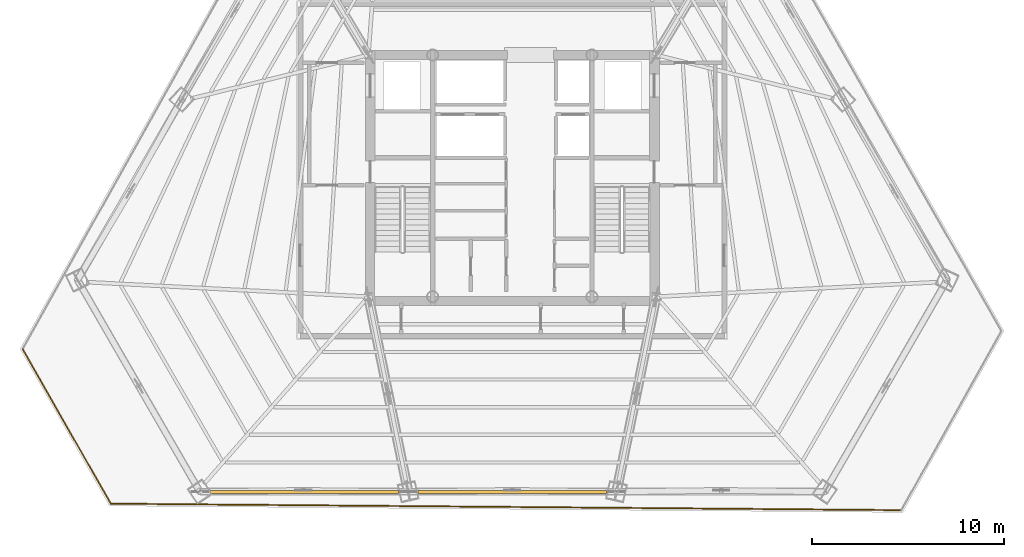
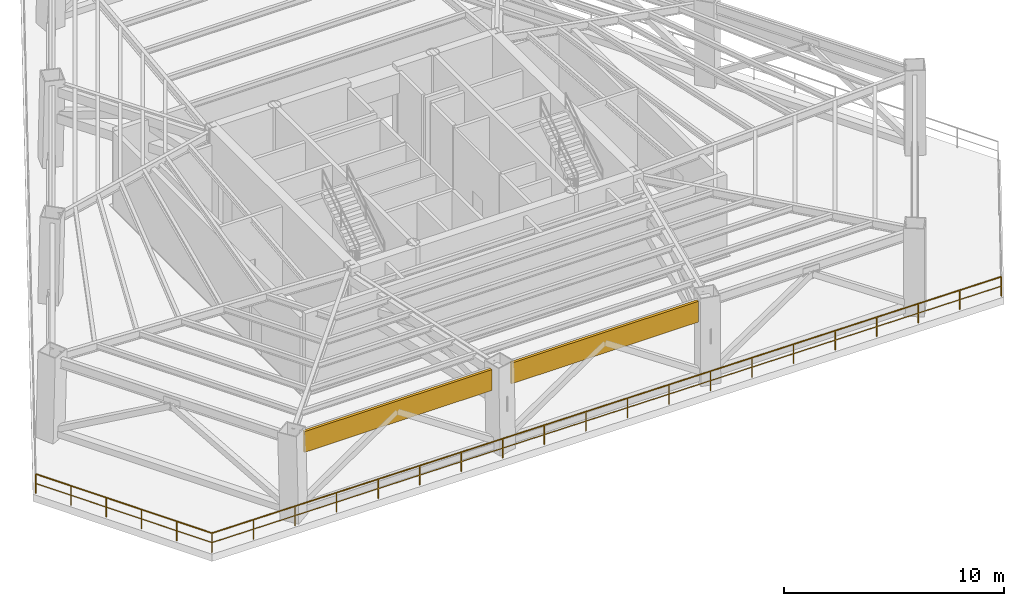
# One storey, part 8 of 12: 2 railings, 2 shading devices.
"""IFC4 building model written with IfcOpenShell, lengths in metres."""

from ifc_helpers import new_model, si_unit, direction, frame, origin, origin_2d, place, context, subcontext, project, spatial, rectangle, extrude, source, transform, mapped, material, layer, layer_set, type_object, type_shapes, element, save


model = new_model("IFC4")

# Units and contexts
model_context = context("Model", 3, precision=1e-05, world=origin(), true_north=direction((0.0, 1.0)))
body_context = subcontext(model_context, "Body", "Model", "MODEL_VIEW")
ifc_project = project(units=[si_unit("LENGTHUNIT", "METRE"), si_unit("AREAUNIT", "SQUARE_METRE"), si_unit("VOLUMEUNIT", "CUBIC_METRE"), si_unit("PLANEANGLEUNIT", "RADIAN"), si_unit("MASSUNIT", "GRAM", prefix="KILO")], contexts=[model_context])

# Site, building, storey
site_placement = place(None, origin())
site = spatial("IfcSite", under=ifc_project, at=site_placement, CompositionType="ELEMENT")
building_placement = place(site_placement, origin())
building = spatial("IfcBuilding", under=site, at=building_placement, Name="Caelisora Broadcast Tower", CompositionType="ELEMENT")
storey_placement = place(building_placement, frame((0.0, 0.0, 150.050048828125)))
storey = spatial("IfcBuildingStorey", under=building, at=storey_placement, Name="L39", CompositionType="ELEMENT", Elevation=150.050048828125)

# Railings
ifc_material_1 = material(Name="Laminated Glass and Stainless Steel Terrace Balustrade", Category="steel")
ifc_layer_1 = layer(ifc_material_1, 0.048095703125, Name="Laminated Glass and Stainless Steel Terrace Balustrade")
ifc_layer_set_1 = layer_set([ifc_layer_1], Name="Laminated Glass and Stainless Steel Terrace Balustrade")
railing_type = type_object("IfcRailingType", Name="BL-1", PredefinedType="BALUSTRADE", material=ifc_layer_set_1)
railing_1_placement = place(storey_placement, frame((58.277099609375, 6.27294921875, 0.0)))
element("IfcRailing", 1, at=railing_1_placement, inside=storey, type_object=railing_type, Name="L39 balustrade BL-1 #03", PredefinedType="BALUSTRADE", context=body_context, shape_type="SweptSolid", body=[
    extrude(rectangle(XDim=0.048095703125, YDim=0.048095703125, at=origin_2d()), frame((0.0, 0.0, 1.076171875), z_axis=(-0.999965946095, 0.008252675326, 0.0), x_axis=(-0.008252675326, -0.999965946095, 0.0)), (0.0, 0.0, 1.0), 41.20947265625),
    extrude(rectangle(XDim=0.03125, YDim=0.03125, at=origin_2d()), frame((0.0, 0.0, 0.550048828125), z_axis=(-0.999965946095, 0.008252675326, 0.0), x_axis=(-0.008252675326, -0.999965946095, 0.0)), (0.0, 0.0, 1.0), 41.20947265625),
    extrude(rectangle(XDim=0.0419921875, YDim=0.0419921875, at=origin_2d()), origin(), (0.0, 0.0, 1.0), 1.052001953125),
    extrude(rectangle(XDim=0.0419921875, YDim=0.0419921875, at=origin_2d()), frame((-2.1689453125, 0.017822265625, 0.0)), (0.0, 0.0, 1.0), 1.052001953125),
    extrude(rectangle(XDim=0.0419921875, YDim=0.0419921875, at=origin_2d()), frame((-4.337646484375, 0.035888671875, 0.0)), (0.0, 0.0, 1.0), 1.052001953125),
    extrude(rectangle(XDim=0.0419921875, YDim=0.0419921875, at=origin_2d()), frame((-6.506591796875, 0.0537109375, 0.0)), (0.0, 0.0, 1.0), 1.052001953125),
    extrude(rectangle(XDim=0.0419921875, YDim=0.0419921875, at=origin_2d()), frame((-8.67529296875, 0.071533203125, 0.0)), (0.0, 0.0, 1.0), 1.052001953125),
    extrude(rectangle(XDim=0.0419921875, YDim=0.0419921875, at=origin_2d()), frame((-10.84423828125, 0.089599609375, 0.0)), (0.0, 0.0, 1.0), 1.052001953125),
    extrude(rectangle(XDim=0.0419921875, YDim=0.0419921875, at=origin_2d()), frame((-13.012939453125, 0.107421875, 0.0)), (0.0, 0.0, 1.0), 1.052001953125),
    extrude(rectangle(XDim=0.0419921875, YDim=0.0419921875, at=origin_2d()), frame((-15.181884765625, 0.125244140625, 0.0)), (0.0, 0.0, 1.0), 1.052001953125),
    extrude(rectangle(XDim=0.0419921875, YDim=0.0419921875, at=origin_2d()), frame((-17.350830078125, 0.143310546875, 0.0)), (0.0, 0.0, 1.0), 1.052001953125),
    extrude(rectangle(XDim=0.0419921875, YDim=0.0419921875, at=origin_2d()), frame((-19.51953125, 0.1611328125, 0.0)), (0.0, 0.0, 1.0), 1.052001953125),
    extrude(rectangle(XDim=0.0419921875, YDim=0.0419921875, at=origin_2d()), frame((-21.6884765625, 0.178955078125, 0.0)), (0.0, 0.0, 1.0), 1.052001953125),
    extrude(rectangle(XDim=0.0419921875, YDim=0.0419921875, at=origin_2d()), frame((-23.857177734375, 0.19677734375, 0.0)), (0.0, 0.0, 1.0), 1.052001953125),
    extrude(rectangle(XDim=0.0419921875, YDim=0.0419921875, at=origin_2d()), frame((-26.026123046875, 0.21484375, 0.0)), (0.0, 0.0, 1.0), 1.052001953125),
    extrude(rectangle(XDim=0.0419921875, YDim=0.0419921875, at=origin_2d()), frame((-28.195068359375, 0.232666015625, 0.0)), (0.0, 0.0, 1.0), 1.052001953125),
    extrude(rectangle(XDim=0.0419921875, YDim=0.0419921875, at=origin_2d()), frame((-30.36376953125, 0.25048828125, 0.0)), (0.0, 0.0, 1.0), 1.052001953125),
    extrude(rectangle(XDim=0.0419921875, YDim=0.0419921875, at=origin_2d()), frame((-32.53271484375, 0.2685546875, 0.0)), (0.0, 0.0, 1.0), 1.052001953125),
    extrude(rectangle(XDim=0.0419921875, YDim=0.0419921875, at=origin_2d()), frame((-34.701416015625, 0.286376953125, 0.0)), (0.0, 0.0, 1.0), 1.052001953125),
    extrude(rectangle(XDim=0.0419921875, YDim=0.0419921875, at=origin_2d()), frame((-36.870361328125, 0.30419921875, 0.0)), (0.0, 0.0, 1.0), 1.052001953125),
    extrude(rectangle(XDim=0.0419921875, YDim=0.0419921875, at=origin_2d()), frame((-39.0390625, 0.322265625, 0.0)), (0.0, 0.0, 1.0), 1.052001953125),
    extrude(rectangle(XDim=0.0419921875, YDim=0.0419921875, at=origin_2d()), frame((-41.2080078125, 0.340087890625, 0.0)), (0.0, 0.0, 1.0), 1.052001953125),
])
railing_2_placement = place(storey_placement, frame((17.069091796875, 6.613037109375, 0.0)))
element("IfcRailing", 2, at=railing_2_placement, inside=storey, type_object=railing_type, Name="L39 balustrade BL-1 #04", PredefinedType="BALUSTRADE", context=body_context, shape_type="SweptSolid", body=[
    extrude(rectangle(XDim=0.048095703125, YDim=0.048095703125, at=origin_2d()), frame((0.0, 0.0, 1.076171875), z_axis=(-0.494798336512, 0.86900782861, 0.0), x_axis=(-0.86900782861, -0.494798336512, 0.0)), (0.0, 0.0, 1.0), 9.280517578125),
    extrude(rectangle(XDim=0.03125, YDim=0.03125, at=origin_2d()), frame((0.0, 0.0, 0.550048828125), z_axis=(-0.494798336512, 0.86900782861, 0.0), x_axis=(-0.86900782861, -0.494798336512, 0.0)), (0.0, 0.0, 1.0), 9.280517578125),
    extrude(rectangle(XDim=0.0419921875, YDim=0.0419921875, at=origin_2d()), origin(), (0.0, 0.0, 1.0), 1.052001953125),
    extrude(rectangle(XDim=0.0419921875, YDim=0.0419921875, at=origin_2d()), frame((-0.91845703125, 1.613037109375, 0.0)), (0.0, 0.0, 1.0), 1.052001953125),
    extrude(rectangle(XDim=0.0419921875, YDim=0.0419921875, at=origin_2d()), frame((-1.8369140625, 3.22607421875, 0.0)), (0.0, 0.0, 1.0), 1.052001953125),
    extrude(rectangle(XDim=0.0419921875, YDim=0.0419921875, at=origin_2d()), frame((-2.755126953125, 4.8388671875, 0.0)), (0.0, 0.0, 1.0), 1.052001953125),
    extrude(rectangle(XDim=0.0419921875, YDim=0.0419921875, at=origin_2d()), frame((-3.673583984375, 6.451904296875, 0.0)), (0.0, 0.0, 1.0), 1.052001953125),
    extrude(rectangle(XDim=0.0419921875, YDim=0.0419921875, at=origin_2d()), frame((-4.592041015625, 8.06494140625, 0.0)), (0.0, 0.0, 1.0), 1.052001953125),
])

# Shading devices
ifc_material_2 = material(Name="Anodised Terracotta Aluminium Acoustic Louvre", Category="aluminium")
ifc_layer_2 = layer(ifc_material_2, 0.139892578125, Name="Anodised Terracotta Aluminium Acoustic Louvre")
ifc_layer_set_2 = layer_set([ifc_layer_2], Name="Anodised Terracotta Aluminium Acoustic Louvre")
shading_device_type = type_object("IfcShadingDeviceType", Name="LV-1", PredefinedType="JALOUSIE", material=ifc_layer_set_2)
shared_shape_1 = source(origin(), body_context, "Body", "SweptSolid", [
    extrude(rectangle(XDim=9.82421875, YDim=0.139892578125, at=origin_2d()), origin(), (0.0, 0.0, 1.0), 1.14990234375),
])
shading_device_1_placement = place(storey_placement, frame((27.1455078125, 7.225341796875, 3.409912109375), z_axis=(0.0, 0.0, 1.0), x_axis=(1.0, 0.0, 0.0)))
element("IfcShadingDevice", 3, at=shading_device_1_placement, inside=storey, type_object=shading_device_type, Name="L39 refuge wind-baffle louvre #5", PredefinedType="JALOUSIE", context=body_context, shape_type="MappedRepresentation", body=[
    mapped(shared_shape_1, transform((0.0, 0.0, 0.0), scale=1.0)),
])
shared_shape_2 = source(origin(), body_context, "Body", "SweptSolid", [
    extrude(rectangle(XDim=9.824462890625, YDim=0.139892578125, at=origin_2d()), origin(), (0.0, 0.0, 1.0), 1.14990234375),
])
type_shapes(shading_device_type, [shared_shape_1, shared_shape_2])
shading_device_2_placement = place(storey_placement, frame((38.0, 7.225341796875, 3.409912109375), z_axis=(0.0, 0.0, 1.0), x_axis=(1.0, 0.0, 0.0)))
element("IfcShadingDevice", 4, at=shading_device_2_placement, inside=storey, type_object=shading_device_type, Name="L39 refuge wind-baffle louvre #6", PredefinedType="JALOUSIE", context=body_context, shape_type="MappedRepresentation", body=[
    mapped(shared_shape_2, transform((0.0, 0.0, 0.0), scale=1.0)),
])

save(model, "model.ifc")
